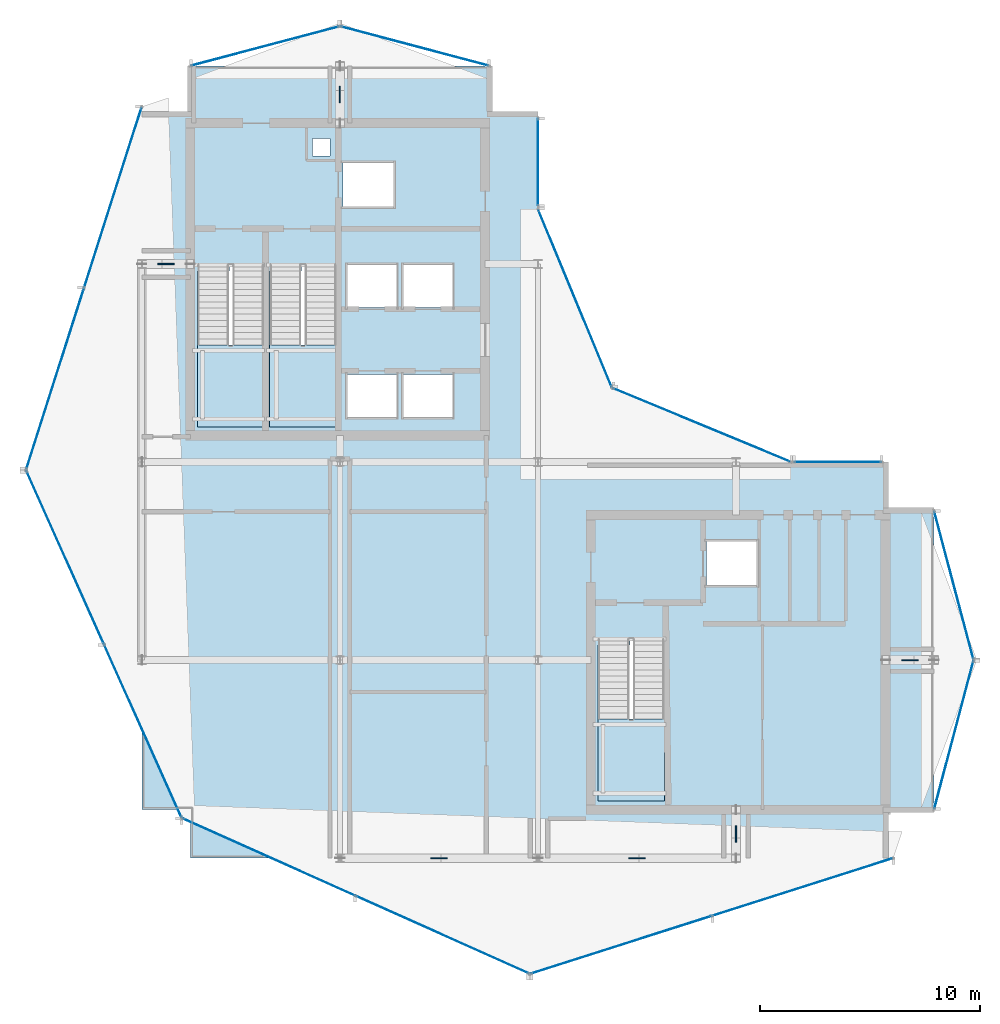
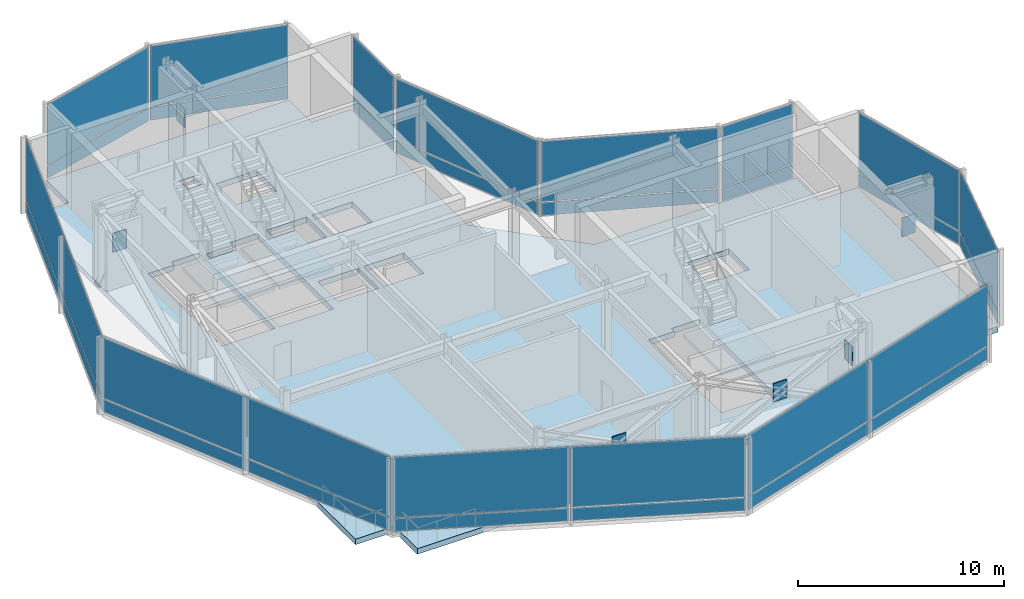
# One storey, part 15 of 23: 38 plates, 4 slabs, 15 elements without a shape of their own.
"""IFC4 building model written with IfcOpenShell, lengths in metres."""

from ifc_helpers import new_model, si_unit, direction, frame, origin, origin_2d, place, context, subcontext, project, spatial, polyline, rectangle, outline, extrude, material, layer, layer_set, type_object, element, aggregate, save


model = new_model("IFC4")

# Units and contexts
model_context = context("Model", 3, precision=1e-05, world=origin(), true_north=direction((0.0, 1.0)))
body_context = subcontext(model_context, "Body", "Model", "MODEL_VIEW")
ifc_project = project(units=[si_unit("LENGTHUNIT", "METRE"), si_unit("AREAUNIT", "SQUARE_METRE"), si_unit("VOLUMEUNIT", "CUBIC_METRE"), si_unit("PLANEANGLEUNIT", "RADIAN"), si_unit("MASSUNIT", "GRAM", prefix="KILO")], contexts=[model_context])

# Site, building, storey
site_placement = place(None, origin())
site = spatial("IfcSite", under=ifc_project, at=site_placement, CompositionType="ELEMENT")
building_placement = place(site_placement, origin())
building = spatial("IfcBuilding", under=site, at=building_placement, Name="Solvaryn Broadcast Tower", CompositionType="ELEMENT")
storey_placement = place(building_placement, frame((0.0, 0.0, 285.199951171875)))
storey = spatial("IfcBuildingStorey", under=building, at=storey_placement, Name="L72", CompositionType="ELEMENT", Elevation=285.199951171875)

# Curtain wall, plates
ifc_material_1 = material(Name="Aluminium and Terracotta Unitised Curtain Wall", Category="masonry")
ifc_layer_1 = layer(ifc_material_1, 0.199951171875)
ifc_layer_set_1 = layer_set([ifc_layer_1], Name="CW-SYS2-LOWMID")
curtain_wall_type = type_object("IfcCurtainWallType", Name="CW-SYS2-LOWMID", PredefinedType="NOTDEFINED", material=ifc_layer_set_1)
curtain_wall_1_placement = place(storey_placement, origin())
curtain_wall_1 = element("IfcCurtainWall", 1, at=curtain_wall_1_placement, inside=storey, type_object=curtain_wall_type, Name="L72 Curtain Wall DR1", PredefinedType="NOTDEFINED")
ifc_material_2 = material(Name="Kiln-Fired Architectural Terracotta Spandrel", Category="masonry")
ifc_layer_2 = layer(ifc_material_2, 0.048095703125)
ifc_layer_set_2 = layer_set([ifc_layer_2], Name="CW-PNL-TERRACOTTA")
plate_type_1 = type_object("IfcPlateType", Name="CW-PNL-TERRACOTTA", PredefinedType="CURTAIN_PANEL", material=ifc_layer_set_2)
plate_1_placement = place(storey_placement, frame((7.679931640625, 39.00634765625, 0.06005859375), z_axis=(0.0, 0.0, 1.0), x_axis=(-0.30361564569, -0.952794594701, 0.0)))
plate_1 = element("IfcPlate", 2, at=plate_1_placement, type_object=plate_type_1, Name="CWS2 panel 1.1", PredefinedType="CURTAIN_PANEL", context=body_context, shape_type="SweptSolid", body=[
    extrude(rectangle(XDim=8.575439453125, YDim=0.028076171875, at=origin_2d()), origin(), (0.0, 0.0, 1.0), 0.760009765625),
])
plate_2_placement = place(storey_placement, frame((7.679931640625, 39.00634765625, 0.880126953125), z_axis=(0.0, 0.0, 1.0), x_axis=(-0.30361564569, -0.952794594701, 0.0)))
plate_2 = element("IfcPlate", 3, at=plate_2_placement, type_object=plate_type_1, Name="CWS2 panel 1.2", PredefinedType="CURTAIN_PANEL", context=body_context, shape_type="SweptSolid", body=[
    extrude(rectangle(XDim=8.575439453125, YDim=0.028076171875, at=origin_2d()), origin(), (0.0, 0.0, 1.0), 3.580078125),
])
plate_3_placement = place(storey_placement, frame((5.05810546875, 30.778564453125, 0.06005859375), z_axis=(0.0, 0.0, 1.0), x_axis=(-0.30361564569, -0.952794594701, 0.0)))
plate_3 = element("IfcPlate", 4, at=plate_3_placement, type_object=plate_type_1, Name="CWS2 panel 2.1", PredefinedType="CURTAIN_PANEL", context=body_context, shape_type="SweptSolid", body=[
    extrude(rectangle(XDim=8.575439453125, YDim=0.028076171875, at=origin_2d()), origin(), (0.0, 0.0, 1.0), 0.760009765625),
])
plate_4_placement = place(storey_placement, frame((5.05810546875, 30.778564453125, 0.880126953125), z_axis=(0.0, 0.0, 1.0), x_axis=(-0.30361564569, -0.952794594701, 0.0)))
plate_4 = element("IfcPlate", 5, at=plate_4_placement, type_object=plate_type_1, Name="CWS2 panel 2.2", PredefinedType="CURTAIN_PANEL", context=body_context, shape_type="SweptSolid", body=[
    extrude(rectangle(XDim=8.575439453125, YDim=0.028076171875, at=origin_2d()), origin(), (0.0, 0.0, 1.0), 3.580078125),
])
aggregate(curtain_wall_1, [plate_1, plate_2, plate_3, plate_4])

curtain_wall_2_placement = place(storey_placement, origin())
curtain_wall_2 = element("IfcCurtainWall", 6, at=curtain_wall_2_placement, inside=storey, type_object=curtain_wall_type, Name="L72 Curtain Wall DR2", PredefinedType="NOTDEFINED")
plate_5_placement = place(storey_placement, frame((5.513916015625, 22.66748046875, 0.06005859375), z_axis=(0.0, 0.0, 1.0), x_axis=(0.408466010682, -0.912773530574, 0.0)))
plate_5 = element("IfcPlate", 7, at=plate_5_placement, type_object=plate_type_1, Name="CWS2 panel 1.1", PredefinedType="CURTAIN_PANEL", context=body_context, shape_type="SweptSolid", body=[
    extrude(rectangle(XDim=8.575439453125, YDim=0.028076171875, at=origin_2d()), origin(), (0.0, 0.0, 1.0), 0.760009765625),
])
plate_6_placement = place(storey_placement, frame((5.513916015625, 22.66748046875, 0.880126953125), z_axis=(0.0, 0.0, 1.0), x_axis=(0.408466010682, -0.912773530574, 0.0)))
plate_6 = element("IfcPlate", 8, at=plate_6_placement, type_object=plate_type_1, Name="CWS2 panel 1.2", PredefinedType="CURTAIN_PANEL", context=body_context, shape_type="SweptSolid", body=[
    extrude(rectangle(XDim=8.575439453125, YDim=0.028076171875, at=origin_2d()), origin(), (0.0, 0.0, 1.0), 3.580078125),
])
plate_7_placement = place(storey_placement, frame((9.041015625, 14.785400390625, 0.06005859375), z_axis=(0.0, 0.0, 1.0), x_axis=(0.408466010682, -0.912773530574, 0.0)))
plate_7 = element("IfcPlate", 9, at=plate_7_placement, type_object=plate_type_1, Name="CWS2 panel 2.1", PredefinedType="CURTAIN_PANEL", context=body_context, shape_type="SweptSolid", body=[
    extrude(rectangle(XDim=8.575439453125, YDim=0.028076171875, at=origin_2d()), origin(), (0.0, 0.0, 1.0), 0.760009765625),
])
plate_8_placement = place(storey_placement, frame((9.041015625, 14.785400390625, 0.880126953125), z_axis=(0.0, 0.0, 1.0), x_axis=(0.408466010682, -0.912773530574, 0.0)))
plate_8 = element("IfcPlate", 10, at=plate_8_placement, type_object=plate_type_1, Name="CWS2 panel 2.2", PredefinedType="CURTAIN_PANEL", context=body_context, shape_type="SweptSolid", body=[
    extrude(rectangle(XDim=8.575439453125, YDim=0.028076171875, at=origin_2d()), origin(), (0.0, 0.0, 1.0), 3.580078125),
])
aggregate(curtain_wall_2, [plate_5, plate_6, plate_7, plate_8])

curtain_wall_3_placement = place(storey_placement, origin())
curtain_wall_3 = element("IfcCurtainWall", 11, at=curtain_wall_3_placement, inside=storey, type_object=curtain_wall_type, Name="L72 Curtain Wall DR3", PredefinedType="NOTDEFINED")
plate_9_placement = place(storey_placement, frame((14.785400390625, 9.041015625, 0.06005859375), z_axis=(0.0, 0.0, 1.0), x_axis=(0.912773530574, -0.408466010682, 0.0)))
plate_9 = element("IfcPlate", 12, at=plate_9_placement, type_object=plate_type_1, Name="CWS2 panel 1.1", PredefinedType="CURTAIN_PANEL", context=body_context, shape_type="SweptSolid", body=[
    extrude(rectangle(XDim=8.575439453125, YDim=0.028076171875, at=origin_2d()), origin(), (0.0, 0.0, 1.0), 0.760009765625),
])
plate_10_placement = place(storey_placement, frame((14.785400390625, 9.041015625, 0.880126953125), z_axis=(0.0, 0.0, 1.0), x_axis=(0.912773530574, -0.408466010682, 0.0)))
plate_10 = element("IfcPlate", 13, at=plate_10_placement, type_object=plate_type_1, Name="CWS2 panel 1.2", PredefinedType="CURTAIN_PANEL", context=body_context, shape_type="SweptSolid", body=[
    extrude(rectangle(XDim=8.575439453125, YDim=0.028076171875, at=origin_2d()), origin(), (0.0, 0.0, 1.0), 3.580078125),
])
plate_11_placement = place(storey_placement, frame((22.66748046875, 5.513916015625, 0.06005859375), z_axis=(0.0, 0.0, 1.0), x_axis=(0.912773530574, -0.408466010682, 0.0)))
plate_11 = element("IfcPlate", 14, at=plate_11_placement, type_object=plate_type_1, Name="CWS2 panel 2.1", PredefinedType="CURTAIN_PANEL", context=body_context, shape_type="SweptSolid", body=[
    extrude(rectangle(XDim=8.575439453125, YDim=0.028076171875, at=origin_2d()), origin(), (0.0, 0.0, 1.0), 0.760009765625),
])
plate_12_placement = place(storey_placement, frame((22.66748046875, 5.513916015625, 0.880126953125), z_axis=(0.0, 0.0, 1.0), x_axis=(0.912773530574, -0.408466010682, 0.0)))
plate_12 = element("IfcPlate", 15, at=plate_12_placement, type_object=plate_type_1, Name="CWS2 panel 2.2", PredefinedType="CURTAIN_PANEL", context=body_context, shape_type="SweptSolid", body=[
    extrude(rectangle(XDim=8.575439453125, YDim=0.028076171875, at=origin_2d()), origin(), (0.0, 0.0, 1.0), 3.580078125),
])
aggregate(curtain_wall_3, [plate_9, plate_10, plate_11, plate_12])

curtain_wall_4_placement = place(storey_placement, origin())
curtain_wall_4 = element("IfcCurtainWall", 16, at=curtain_wall_4_placement, inside=storey, type_object=curtain_wall_type, Name="L72 Curtain Wall DR4", PredefinedType="NOTDEFINED")
plate_13_placement = place(storey_placement, frame((30.778564453125, 5.05810546875, 0.06005859375), z_axis=(0.0, 0.0, 1.0), x_axis=(0.952794594701, 0.30361564569, 0.0)))
plate_13 = element("IfcPlate", 17, at=plate_13_placement, type_object=plate_type_1, Name="CWS2 panel 1.1", PredefinedType="CURTAIN_PANEL", context=body_context, shape_type="SweptSolid", body=[
    extrude(rectangle(XDim=8.575439453125, YDim=0.028076171875, at=origin_2d()), origin(), (0.0, 0.0, 1.0), 0.760009765625),
])
plate_14_placement = place(storey_placement, frame((30.778564453125, 5.05810546875, 0.880126953125), z_axis=(0.0, 0.0, 1.0), x_axis=(0.952794594701, 0.30361564569, 0.0)))
plate_14 = element("IfcPlate", 18, at=plate_14_placement, type_object=plate_type_1, Name="CWS2 panel 1.2", PredefinedType="CURTAIN_PANEL", context=body_context, shape_type="SweptSolid", body=[
    extrude(rectangle(XDim=8.575439453125, YDim=0.028076171875, at=origin_2d()), origin(), (0.0, 0.0, 1.0), 3.580078125),
])
plate_15_placement = place(storey_placement, frame((39.00634765625, 7.679931640625, 0.06005859375), z_axis=(0.0, 0.0, 1.0), x_axis=(0.952794594701, 0.30361564569, 0.0)))
plate_15 = element("IfcPlate", 19, at=plate_15_placement, type_object=plate_type_1, Name="CWS2 panel 2.1", PredefinedType="CURTAIN_PANEL", context=body_context, shape_type="SweptSolid", body=[
    extrude(rectangle(XDim=8.575439453125, YDim=0.028076171875, at=origin_2d()), origin(), (0.0, 0.0, 1.0), 0.760009765625),
])
plate_16_placement = place(storey_placement, frame((39.00634765625, 7.679931640625, 0.880126953125), z_axis=(0.0, 0.0, 1.0), x_axis=(0.952794594701, 0.30361564569, 0.0)))
plate_16 = element("IfcPlate", 20, at=plate_16_placement, type_object=plate_type_1, Name="CWS2 panel 2.2", PredefinedType="CURTAIN_PANEL", context=body_context, shape_type="SweptSolid", body=[
    extrude(rectangle(XDim=8.575439453125, YDim=0.028076171875, at=origin_2d()), origin(), (0.0, 0.0, 1.0), 3.580078125),
])
aggregate(curtain_wall_4, [plate_13, plate_14, plate_15, plate_16])

curtain_wall_5_placement = place(storey_placement, origin())
curtain_wall_5 = element("IfcCurtainWall", 21, at=curtain_wall_5_placement, inside=storey, type_object=curtain_wall_type, Name="L72 Curtain Wall IV", PredefinedType="NOTDEFINED")
plate_17_placement = place(storey_placement, frame((27.0, 40.625, 0.06005859375), z_axis=(0.0, 0.0, 1.0), x_axis=(0.0, -1.0, 0.0)))
plate_17 = element("IfcPlate", 22, at=plate_17_placement, type_object=plate_type_1, Name="CWS2 panel 1.1", PredefinedType="CURTAIN_PANEL", context=body_context, shape_type="SweptSolid", body=[
    extrude(rectangle(XDim=3.929931640625, YDim=0.028076171875, at=origin_2d()), origin(), (0.0, 0.0, 1.0), 0.760009765625),
])
plate_18_placement = place(storey_placement, frame((27.0, 40.625, 0.880126953125), z_axis=(0.0, 0.0, 1.0), x_axis=(0.0, -1.0, 0.0)))
plate_18 = element("IfcPlate", 23, at=plate_18_placement, type_object=plate_type_1, Name="CWS2 panel 1.2", PredefinedType="CURTAIN_PANEL", context=body_context, shape_type="SweptSolid", body=[
    extrude(rectangle(XDim=3.929931640625, YDim=0.028076171875, at=origin_2d()), origin(), (0.0, 0.0, 1.0), 3.580078125),
])
aggregate(curtain_wall_5, [plate_17, plate_18])

curtain_wall_6_placement = place(storey_placement, origin())
curtain_wall_6 = element("IfcCurtainWall", 24, at=curtain_wall_6_placement, inside=storey, type_object=curtain_wall_type, Name="L72 Curtain Wall CN1", PredefinedType="NOTDEFINED")
plate_19_placement = place(storey_placement, frame((34.43408203125, 28.68408203125, 0.06005859375), z_axis=(0.0, 0.0, 1.0), x_axis=(-0.923894983957, 0.382646127145, 0.0)))
plate_19 = element("IfcPlate", 25, at=plate_19_placement, type_object=plate_type_1, Name="CWS2 panel 1.1", PredefinedType="CURTAIN_PANEL", context=body_context, shape_type="SweptSolid", body=[
    extrude(rectangle(XDim=8.681884765625, YDim=0.028076171875, at=origin_2d()), origin(), (0.0, 0.0, 1.0), 0.760009765625),
])
plate_20_placement = place(storey_placement, frame((34.43408203125, 28.68408203125, 0.880126953125), z_axis=(0.0, 0.0, 1.0), x_axis=(-0.923894983957, 0.382646127145, 0.0)))
plate_20 = element("IfcPlate", 26, at=plate_20_placement, type_object=plate_type_1, Name="CWS2 panel 1.2", PredefinedType="CURTAIN_PANEL", context=body_context, shape_type="SweptSolid", body=[
    extrude(rectangle(XDim=8.681884765625, YDim=0.028076171875, at=origin_2d()), origin(), (0.0, 0.0, 1.0), 3.580078125),
])
aggregate(curtain_wall_6, [plate_19, plate_20])

curtain_wall_7_placement = place(storey_placement, origin())
curtain_wall_7 = element("IfcCurtainWall", 27, at=curtain_wall_7_placement, inside=storey, type_object=curtain_wall_type, Name="L72 Curtain Wall CN2", PredefinedType="NOTDEFINED")
plate_21_placement = place(storey_placement, frame((28.68408203125, 34.43408203125, 0.06005859375), z_axis=(0.0, 0.0, 1.0), x_axis=(-0.382646127145, 0.923894983957, 0.0)))
plate_21 = element("IfcPlate", 28, at=plate_21_placement, type_object=plate_type_1, Name="CWS2 panel 1.1", PredefinedType="CURTAIN_PANEL", context=body_context, shape_type="SweptSolid", body=[
    extrude(rectangle(XDim=8.681884765625, YDim=0.028076171875, at=origin_2d()), origin(), (0.0, 0.0, 1.0), 0.760009765625),
])
plate_22_placement = place(storey_placement, frame((28.68408203125, 34.43408203125, 0.880126953125), z_axis=(0.0, 0.0, 1.0), x_axis=(-0.382646127145, 0.923894983957, 0.0)))
plate_22 = element("IfcPlate", 29, at=plate_22_placement, type_object=plate_type_1, Name="CWS2 panel 1.2", PredefinedType="CURTAIN_PANEL", context=body_context, shape_type="SweptSolid", body=[
    extrude(rectangle(XDim=8.681884765625, YDim=0.028076171875, at=origin_2d()), origin(), (0.0, 0.0, 1.0), 3.580078125),
])
aggregate(curtain_wall_7, [plate_21, plate_22])

curtain_wall_8_placement = place(storey_placement, origin())
curtain_wall_8 = element("IfcCurtainWall", 30, at=curtain_wall_8_placement, inside=storey, type_object=curtain_wall_type, Name="L72 Curtain Wall NT1", PredefinedType="NOTDEFINED")
plate_23_placement = place(storey_placement, frame((21.39990234375, 45.89990234375, 0.06005859375), z_axis=(0.0, 0.0, 1.0), x_axis=(-0.966705227863, 0.25589256031, 0.0)))
plate_23 = element("IfcPlate", 31, at=plate_23_placement, type_object=plate_type_1, Name="CWS2 panel 1.1", PredefinedType="CURTAIN_PANEL", context=body_context, shape_type="SweptSolid", body=[
    extrude(rectangle(XDim=6.914306640625, YDim=0.028076171875, at=origin_2d()), origin(), (0.0, 0.0, 1.0), 0.760009765625),
])
plate_24_placement = place(storey_placement, frame((21.39990234375, 45.89990234375, 0.880126953125), z_axis=(0.0, 0.0, 1.0), x_axis=(-0.966705227863, 0.25589256031, 0.0)))
plate_24 = element("IfcPlate", 32, at=plate_24_placement, type_object=plate_type_1, Name="CWS2 panel 1.2", PredefinedType="CURTAIN_PANEL", context=body_context, shape_type="SweptSolid", body=[
    extrude(rectangle(XDim=6.914306640625, YDim=0.028076171875, at=origin_2d()), origin(), (0.0, 0.0, 1.0), 3.580078125),
])
aggregate(curtain_wall_8, [plate_23, plate_24])

curtain_wall_9_placement = place(storey_placement, origin())
curtain_wall_9 = element("IfcCurtainWall", 33, at=curtain_wall_9_placement, inside=storey, type_object=curtain_wall_type, Name="L72 Curtain Wall NT2", PredefinedType="NOTDEFINED")
plate_25_placement = place(storey_placement, frame((14.60009765625, 45.89990234375, 0.06005859375), z_axis=(0.0, 0.0, 1.0), x_axis=(-0.966705227863, -0.25589256031, 0.0)))
plate_25 = element("IfcPlate", 34, at=plate_25_placement, type_object=plate_type_1, Name="CWS2 panel 1.1", PredefinedType="CURTAIN_PANEL", context=body_context, shape_type="SweptSolid", body=[
    extrude(rectangle(XDim=6.914306640625, YDim=0.028076171875, at=origin_2d()), origin(), (0.0, 0.0, 1.0), 0.760009765625),
])
plate_26_placement = place(storey_placement, frame((14.60009765625, 45.89990234375, 0.880126953125), z_axis=(0.0, 0.0, 1.0), x_axis=(-0.966705227863, -0.25589256031, 0.0)))
plate_26 = element("IfcPlate", 35, at=plate_26_placement, type_object=plate_type_1, Name="CWS2 panel 1.2", PredefinedType="CURTAIN_PANEL", context=body_context, shape_type="SweptSolid", body=[
    extrude(rectangle(XDim=6.914306640625, YDim=0.028076171875, at=origin_2d()), origin(), (0.0, 0.0, 1.0), 3.580078125),
])
aggregate(curtain_wall_9, [plate_25, plate_26])

curtain_wall_10_placement = place(storey_placement, origin())
curtain_wall_10 = element("IfcCurtainWall", 36, at=curtain_wall_10_placement, inside=storey, type_object=curtain_wall_type, Name="L72 Curtain Wall ET1", PredefinedType="NOTDEFINED")
plate_27_placement = place(storey_placement, frame((45.89990234375, 21.39990234375, 0.06005859375), z_axis=(0.0, 0.0, 1.0), x_axis=(0.25589256031, -0.966705227863, 0.0)))
plate_27 = element("IfcPlate", 37, at=plate_27_placement, type_object=plate_type_1, Name="CWS2 panel 1.1", PredefinedType="CURTAIN_PANEL", context=body_context, shape_type="SweptSolid", body=[
    extrude(rectangle(XDim=6.914306640625, YDim=0.028076171875, at=origin_2d()), origin(), (0.0, 0.0, 1.0), 0.760009765625),
])
plate_28_placement = place(storey_placement, frame((45.89990234375, 21.39990234375, 0.880126953125), z_axis=(0.0, 0.0, 1.0), x_axis=(0.25589256031, -0.966705227863, 0.0)))
plate_28 = element("IfcPlate", 38, at=plate_28_placement, type_object=plate_type_1, Name="CWS2 panel 1.2", PredefinedType="CURTAIN_PANEL", context=body_context, shape_type="SweptSolid", body=[
    extrude(rectangle(XDim=6.914306640625, YDim=0.028076171875, at=origin_2d()), origin(), (0.0, 0.0, 1.0), 3.580078125),
])
aggregate(curtain_wall_10, [plate_27, plate_28])

curtain_wall_11_placement = place(storey_placement, origin())
curtain_wall_11 = element("IfcCurtainWall", 39, at=curtain_wall_11_placement, inside=storey, type_object=curtain_wall_type, Name="L72 Curtain Wall ET2", PredefinedType="NOTDEFINED")
plate_29_placement = place(storey_placement, frame((45.89990234375, 14.60009765625, 0.06005859375), z_axis=(0.0, 0.0, 1.0), x_axis=(-0.25589256031, -0.966705227863, 0.0)))
plate_29 = element("IfcPlate", 40, at=plate_29_placement, type_object=plate_type_1, Name="CWS2 panel 1.1", PredefinedType="CURTAIN_PANEL", context=body_context, shape_type="SweptSolid", body=[
    extrude(rectangle(XDim=6.914306640625, YDim=0.028076171875, at=origin_2d()), origin(), (0.0, 0.0, 1.0), 0.760009765625),
])
plate_30_placement = place(storey_placement, frame((45.89990234375, 14.60009765625, 0.880126953125), z_axis=(0.0, 0.0, 1.0), x_axis=(-0.25589256031, -0.966705227863, 0.0)))
plate_30 = element("IfcPlate", 41, at=plate_30_placement, type_object=plate_type_1, Name="CWS2 panel 1.2", PredefinedType="CURTAIN_PANEL", context=body_context, shape_type="SweptSolid", body=[
    extrude(rectangle(XDim=6.914306640625, YDim=0.028076171875, at=origin_2d()), origin(), (0.0, 0.0, 1.0), 3.580078125),
])
aggregate(curtain_wall_11, [plate_29, plate_30])

curtain_wall_12_placement = place(storey_placement, origin())
curtain_wall_12 = element("IfcCurtainWall", 42, at=curtain_wall_12_placement, inside=storey, type_object=curtain_wall_type, Name="L72 Curtain Wall IH", PredefinedType="NOTDEFINED")
plate_31_placement = place(storey_placement, frame((40.625, 27.0, 0.06005859375), z_axis=(0.0, 0.0, 1.0), x_axis=(1.0, 0.0, 0.0)))
plate_31 = element("IfcPlate", 43, at=plate_31_placement, type_object=plate_type_1, Name="CWS2 panel 1.1", PredefinedType="CURTAIN_PANEL", context=body_context, shape_type="SweptSolid", body=[
    extrude(rectangle(XDim=3.929931640625, YDim=0.028076171875, at=origin_2d()), origin(), (0.0, 0.0, 1.0), 0.760009765625),
])
plate_32_placement = place(storey_placement, frame((40.625, 27.0, 0.880126953125), z_axis=(0.0, 0.0, 1.0), x_axis=(1.0, 0.0, 0.0)))
plate_32 = element("IfcPlate", 44, at=plate_32_placement, type_object=plate_type_1, Name="CWS2 panel 1.2", PredefinedType="CURTAIN_PANEL", context=body_context, shape_type="SweptSolid", body=[
    extrude(rectangle(XDim=3.929931640625, YDim=0.028076171875, at=origin_2d()), origin(), (0.0, 0.0, 1.0), 3.580078125),
])
aggregate(curtain_wall_12, [plate_31, plate_32])

# Plates
ifc_material_3 = material(Name="Steel ASTM A572 Grade 50", Category="steel")
ifc_layer_3 = layer(ifc_material_3, 0.050048828125)
ifc_layer_set_3 = layer_set([ifc_layer_3], Name="PL-GUSSET-50")
plate_type_2 = type_object("IfcPlateType", Name="PL-GUSSET-50", PredefinedType="SHEET", material=ifc_layer_set_3)
plate_33_placement = place(storey_placement, frame((10.10009765625, 36.0, 1.7099609375), z_axis=(0.0, 0.0, 1.0), x_axis=(1.0, 0.0, 0.0)))
element("IfcPlate", 45, at=plate_33_placement, inside=storey, type_object=plate_type_2, Name="L72 Outrigger X-Brace W X-Crossing Gusset Node Plate", PredefinedType="SHEET", context=body_context, shape_type="SweptSolid", body=[
    extrude(rectangle(XDim=0.75, YDim=0.050048828125, at=origin_2d()), origin(), (0.0, 0.0, 1.0), 1.10009765625),
])
for number, where, z_axis, x_axis, name in (
    (46, (18.0, 43.699951171875, 1.7099609375), (0.0, 0.0, 1.0), (1.0, 0.0, 0.0), "L72 Outrigger X-Brace N X-Crossing Gusset Node Plate"),
    (47, (36.0, 10.10009765625, 1.7099609375), (0.0, 0.0, 1.0), (1.0, 0.0, 0.0), "L72 Outrigger X-Brace S X-Crossing Gusset Node Plate"),
):
    element("IfcPlate", number, at=place(storey_placement, frame(where, z_axis=z_axis, x_axis=x_axis)), inside=storey, type_object=plate_type_2, Name=name, PredefinedType="SHEET", context=body_context, shape_type="SweptSolid", body=[
        extrude(rectangle(XDim=0.050048828125, YDim=0.75, at=origin_2d()), origin(), (0.0, 0.0, 1.0), 1.10009765625),
    ])
for number, where, z_axis, x_axis, name in (
    (48, (43.89990234375, 18.0, 1.7099609375), (0.0, 0.0, 1.0), (1.0, 0.0, 0.0), "L72 Outrigger X-Brace E X-Crossing Gusset Node Plate"),
    (49, (22.5, 9.0, 1.7099609375), (0.0, 0.0, 1.0), (1.0, 0.0, 0.0), "L72 South Belt X-Brace 3 X-Crossing Gusset Node Plate"),
    (50, (31.5, 9.0, 1.7099609375), (0.0, 0.0, 1.0), (1.0, 0.0, 0.0), "L72 South Belt X-Brace 4 X-Crossing Gusset Node Plate"),
):
    element("IfcPlate", number, at=place(storey_placement, frame(where, z_axis=z_axis, x_axis=x_axis)), inside=storey, type_object=plate_type_2, Name=name, PredefinedType="SHEET", context=body_context, shape_type="SweptSolid", body=[
        extrude(rectangle(XDim=0.75, YDim=0.050048828125, at=origin_2d()), origin(), (0.0, 0.0, 1.0), 1.10009765625),
    ])

# Stair, slab
ifc_material_4 = material(Name="Concrete f'c 60 MPa", Category="concrete")
stair_type = type_object("IfcStairType", Name="ST-CORE", PredefinedType="HALF_TURN_STAIR", material=ifc_material_4)
stair_1_placement = place(storey_placement, origin())
stair_1 = element("IfcStair", 51, at=stair_1_placement, inside=storey, type_object=stair_type, Name="L72 ST1", PredefinedType="HALF_TURN_STAIR")
ifc_material_5 = material(Name="Concrete f'c 60 MPa", Category="concrete")
ifc_layer_4 = layer(ifc_material_5, 0.199951171875)
ifc_layer_set_4 = layer_set([ifc_layer_4], Name="SL-LANDING-200")
slab_type_1 = type_object("IfcSlabType", Name="SL-LANDING-200", PredefinedType="LANDING", material=ifc_layer_set_4)
slab_1_placement = place(storey_placement, frame((0.0, 0.0, 2.199951171875)))
slab_1 = element("IfcSlab", 52, at=slab_1_placement, type_object=slab_type_1, Name="ST1 landing 1", PredefinedType="LANDING", context=body_context, shape_type="SweptSolid", body=[
    extrude(outline(polyline([(11.52001953125, 32.320068359375), (11.52001953125, 28.60009765625), (14.550048828125, 28.60009765625), (14.550048828125, 32.320068359375), (11.52001953125, 32.320068359375)])), origin(), (0.0, 0.0, 1.0), 0.2001953125),
])
aggregate(stair_1, [slab_1])

stair_2_placement = place(storey_placement, origin())
stair_2 = element("IfcStair", 53, at=stair_2_placement, inside=storey, type_object=stair_type, Name="L72 ST2", PredefinedType="HALF_TURN_STAIR")
slab_2_placement = place(storey_placement, frame((0.0, 0.0, 2.199951171875)))
slab_2 = element("IfcSlab", 54, at=slab_2_placement, type_object=slab_type_1, Name="ST2 landing 1", PredefinedType="LANDING", context=body_context, shape_type="SweptSolid", body=[
    extrude(outline(polyline([(14.800048828125, 32.320068359375), (14.800048828125, 28.60009765625), (17.830078125, 28.60009765625), (17.830078125, 32.320068359375), (14.800048828125, 32.320068359375)])), origin(), (0.0, 0.0, 1.0), 0.2001953125),
])
aggregate(stair_2, [slab_2])

stair_3_placement = place(storey_placement, origin())
stair_3 = element("IfcStair", 55, at=stair_3_placement, inside=storey, type_object=stair_type, Name="L72 ST3", PredefinedType="HALF_TURN_STAIR")
slab_3_placement = place(storey_placement, frame((0.0, 0.0, 2.199951171875)))
slab_3 = element("IfcSlab", 56, at=slab_3_placement, type_object=slab_type_1, Name="ST3 landing 1", PredefinedType="LANDING", context=body_context, shape_type="SweptSolid", body=[
    extrude(outline(polyline([(29.719970703125, 15.320068359375), (29.719970703125, 11.60009765625), (32.75, 11.60009765625), (32.75, 15.320068359375), (29.719970703125, 15.320068359375)])), origin(), (0.0, 0.0, 1.0), 0.2001953125),
])
aggregate(stair_3, [slab_3])

# Slab
ifc_material_6 = material(Name="Concrete f'c 60 MPa", Category="concrete")
ifc_layer_5 = layer(ifc_material_6, 0.330078125)
ifc_layer_set_5 = layer_set([ifc_layer_5], Name="SL-PLT-330")
slab_type_2 = type_object("IfcSlabType", Name="SL-PLT-330", PredefinedType="FLOOR", material=ifc_layer_set_5)
slab_4_placement = place(storey_placement, frame((0.0, 0.0, -0.329833984375)))
element("IfcSlab", 57, at=slab_4_placement, inside=storey, type_object=slab_type_2, Name="L72 Structural Floor Slab", PredefinedType="FLOOR", context=body_context, shape_type="SweptSolid", body=[
    extrude(outline(polyline([(11.199951171875, 9.0), (42.800048828125, 9.0), (42.800048828125, 11.199951171875), (45.0, 11.199951171875), (45.0, 24.800048828125), (42.800048828125, 24.800048828125), (42.800048828125, 27.0), (31.5, 27.0), (27.0, 31.5), (27.0, 42.800048828125), (24.800048828125, 42.800048828125), (24.800048828125, 45.0), (11.199951171875, 45.0), (11.199951171875, 42.800048828125), (9.0, 42.800048828125), (9.0, 11.199951171875), (11.199951171875, 11.199951171875), (11.199951171875, 9.0)]), holes=[polyline([(11.52001953125, 28.60009765625), (14.550048828125, 28.60009765625), (14.550048828125, 35.9599609375), (12.97998046875, 35.9599609375), (12.97998046875, 35.679931640625), (11.52001953125, 35.679931640625), (11.52001953125, 28.60009765625)]), polyline([(14.800048828125, 28.60009765625), (17.830078125, 28.60009765625), (17.830078125, 35.9599609375), (16.260009765625, 35.9599609375), (16.260009765625, 35.679931640625), (14.800048828125, 35.679931640625), (14.800048828125, 28.60009765625)]), polyline([(29.719970703125, 11.60009765625), (32.75, 11.60009765625), (32.75, 18.9599609375), (31.179931640625, 18.9599609375), (31.179931640625, 18.679931640625), (29.719970703125, 18.679931640625), (29.719970703125, 11.60009765625)]), polyline([(18.14990234375, 38.60009765625), (20.449951171875, 38.60009765625), (20.449951171875, 40.60009765625), (18.14990234375, 40.60009765625), (18.14990234375, 38.60009765625)]), polyline([(18.324951171875, 29.02490234375), (20.574951171875, 29.02490234375), (20.574951171875, 30.97509765625), (18.324951171875, 30.97509765625), (18.324951171875, 29.02490234375)]), polyline([(20.875, 29.02490234375), (23.125, 29.02490234375), (23.125, 30.97509765625), (20.875, 30.97509765625), (20.875, 29.02490234375)]), polyline([(18.324951171875, 34.02490234375), (20.574951171875, 34.02490234375), (20.574951171875, 35.97509765625), (18.324951171875, 35.97509765625), (18.324951171875, 34.02490234375)]), polyline([(20.875, 34.02490234375), (23.125, 34.02490234375), (23.125, 35.97509765625), (20.875, 35.97509765625), (20.875, 34.02490234375)]), polyline([(34.64990234375, 21.39990234375), (36.949951171875, 21.39990234375), (36.949951171875, 23.39990234375), (34.64990234375, 23.39990234375), (34.64990234375, 21.39990234375)]), polyline([(16.75, 40.89990234375), (17.550048828125, 40.89990234375), (17.550048828125, 41.699951171875), (16.75, 41.699951171875), (16.75, 40.89990234375)])]), origin(), (0.0, 0.0, 1.0), 0.329833984375),
])

save(model, "model.ifc")
